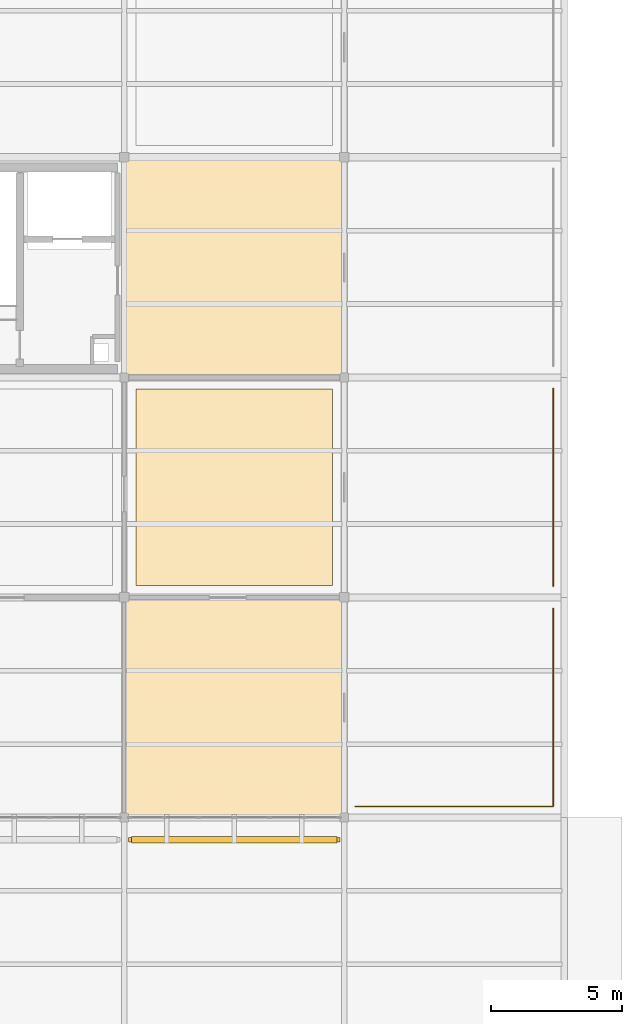
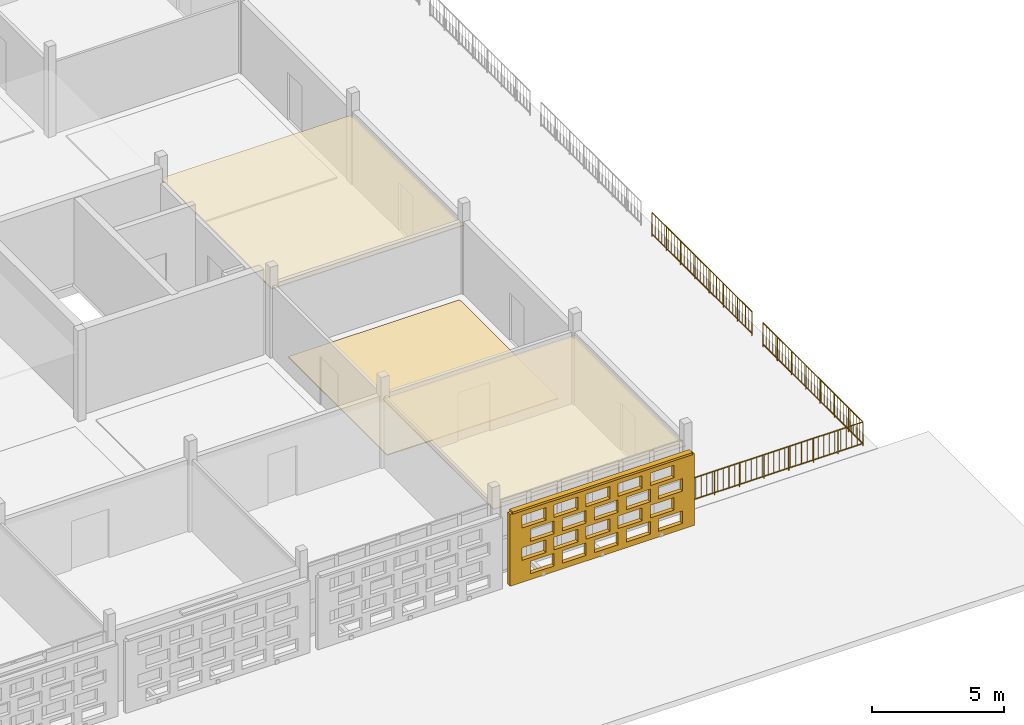
# One storey, part 153 of 166: 4 coverings, 3 railings, 1 shading device, 20 openings.
"""IFC4 building model written with IfcOpenShell, lengths in metres."""

from ifc_helpers import new_model, si_unit, direction, frame, frame_2d, origin, origin_2d, place, context, subcontext, project, spatial, rectangle, circle, extrude, material, layer, layer_set, type_object, element, save


model = new_model("IFC4")

# Units and contexts
model_context = context("Model", 3, precision=1e-05, world=origin(), true_north=direction((0.0, 1.0)))
body_context = subcontext(model_context, "Body", "Model", "MODEL_VIEW")
ifc_project = project(units=[si_unit("LENGTHUNIT", "METRE"), si_unit("AREAUNIT", "SQUARE_METRE"), si_unit("VOLUMEUNIT", "CUBIC_METRE"), si_unit("PLANEANGLEUNIT", "RADIAN"), si_unit("MASSUNIT", "GRAM", prefix="KILO")], contexts=[model_context])

# Site, building, storey
site_placement = place(None, origin())
site = spatial("IfcSite", under=ifc_project, at=site_placement, CompositionType="ELEMENT")
building_placement = place(site_placement, origin())
building = spatial("IfcBuilding", under=site, at=building_placement, Name="Varnapada Polytechnic", CompositionType="ELEMENT")
storey_placement = place(building_placement, frame((0.0, 0.0, 9.60009765625)))
storey = spatial("IfcBuildingStorey", under=building, at=storey_placement, Name="L02", CompositionType="ELEMENT", Elevation=9.60009765625)

# Coverings
ifc_material_1 = material(Name="Acoustic Rubber Seminar Flooring")
ifc_layer_1 = layer(ifc_material_1, 0.0400390625)
ifc_layer_set_1 = layer_set([ifc_layer_1], Name="Acoustic Rubber Seminar Flooring")
covering_type_1 = type_object("IfcCoveringType", Name="Floor Finish FLR-06", PredefinedType="FLOORING", material=ifc_layer_set_1)
covering_1_placement = place(storey_placement, frame((163.800048828125, 21.0, 0.0), z_axis=(0.0, 0.0, 1.0), x_axis=(1.0, 0.0, 0.0)))
element("IfcCovering", 1, at=covering_1_placement, inside=storey, type_object=covering_type_1, Name="L02 floor finish panel (20,3)", PredefinedType="FLOORING", context=body_context, shape_type="SweptSolid", body=[
    extrude(rectangle(XDim=7.5, YDim=7.5, at=origin_2d()), origin(), (0.0, 0.0, 1.0), 0.0400390625),
])
ifc_material_2 = material(Name="Mineral Fibre Acoustic Ceiling Tile")
ifc_layer_2 = layer(ifc_material_2, 0.0400390625)
ifc_layer_set_2 = layer_set([ifc_layer_2], Name="Mineral Fibre Acoustic Ceiling Tile")
covering_type_2 = type_object("IfcCoveringType", Name="Suspended Ceiling CLG-01", PredefinedType="CEILING", material=ifc_layer_set_2)
covering_2_placement = place(storey_placement, frame((163.800048828125, 29.39990234375, 3.02978515625), z_axis=(0.0, 0.0, 1.0), x_axis=(1.0, 0.0, 0.0)))
element("IfcCovering", 2, at=covering_2_placement, inside=storey, type_object=covering_type_2, Name="L02 suspended acoustic ceiling (20,4)", PredefinedType="CEILING", context=body_context, shape_type="SweptSolid", body=[
    extrude(rectangle(XDim=8.419921875, YDim=8.419921875, at=origin_2d()), origin(), (0.0, 0.0, 1.0), 0.0400390625),
])
ifc_material_3 = material(Name="Cleanroom Laboratory Metal Pan Ceiling")
ifc_layer_3 = layer(ifc_material_3, 0.034912109375)
ifc_layer_set_3 = layer_set([ifc_layer_3], Name="Cleanroom Laboratory Metal Pan Ceiling")
covering_type_3 = type_object("IfcCoveringType", Name="Suspended Ceiling CLG-06", PredefinedType="CEILING", material=ifc_layer_set_3)
covering_3_placement = place(storey_placement, frame((163.800048828125, 12.60009765625, 3.0322265625), z_axis=(0.0, 0.0, 1.0), x_axis=(1.0, 0.0, 0.0)))
element("IfcCovering", 3, at=covering_3_placement, inside=storey, type_object=covering_type_3, Name="L02 suspended acoustic ceiling (20,2)", PredefinedType="CEILING", context=body_context, shape_type="SweptSolid", body=[
    extrude(rectangle(XDim=8.419921875, YDim=8.419921875, at=origin_2d()), origin(), (0.0, 0.0, 1.0), 0.034912109375),
])

# Railings
ifc_material_4 = material(Name="Painted galvanized steel", Category="steel")
railing_type = type_object("IfcRailingType", Name="Terrace Guard Rail GRD-01", PredefinedType="BALUSTRADE", material=ifc_material_4)
railing_1_placement = place(storey_placement, frame((168.419921875, 8.820068359375, 0.0)))
element("IfcRailing", 4, at=railing_1_placement, inside=storey, type_object=railing_type, Name="L02 terrace perimeter guard rail 19", PredefinedType="BALUSTRADE", context=body_context, shape_type="SweptSolid", body=[
    extrude(circle(Radius=0.02392578125, at=origin_2d()), frame((0.0, 0.0, 1.09619140625), z_axis=(1.0, 0.0, 0.0), x_axis=(0.0, 1.0, 0.0)), (0.0, 0.0, 1.0), 7.56005859375),
    extrude(circle(Radius=0.02392578125, at=origin_2d()), frame((0.0, 0.0, 0.10009765625), z_axis=(1.0, 0.0, 0.0), x_axis=(0.0, 1.0, 0.0)), (0.0, 0.0, 1.0), 7.56005859375),
    extrude(circle(Radius=0.02099609375, at=origin_2d()), origin(), (0.0, 0.0, 1.0), 1.072021484375),
    extrude(circle(Radius=0.02099609375, at=origin_2d()), frame((1.080078125, 0.0, 0.0)), (0.0, 0.0, 1.0), 1.072021484375),
    extrude(circle(Radius=0.02099609375, at=origin_2d()), frame((2.159912109375, 0.0, 0.0)), (0.0, 0.0, 1.0), 1.072021484375),
    extrude(circle(Radius=0.02099609375, at=origin_2d()), frame((3.239990234375, 0.0, 0.0)), (0.0, 0.0, 1.0), 1.072021484375),
    extrude(circle(Radius=0.02099609375, at=origin_2d()), frame((4.320068359375, 0.0, 0.0)), (0.0, 0.0, 1.0), 1.072021484375),
    extrude(circle(Radius=0.02099609375, at=origin_2d()), frame((5.400146484375, 0.0, 0.0)), (0.0, 0.0, 1.0), 1.072021484375),
    extrude(circle(Radius=0.02099609375, at=origin_2d()), frame((6.47998046875, 0.0, 0.0)), (0.0, 0.0, 1.0), 1.072021484375),
    extrude(circle(Radius=0.02099609375, at=origin_2d()), frame((7.56005859375, 0.0, 0.0)), (0.0, 0.0, 1.0), 1.072021484375),
    extrude(circle(Radius=0.010009765625, at=origin_2d()), frame((0.243896484375, 0.0, 0.10009765625)), (0.0, 0.0, 1.0), 0.971923828125),
    extrude(circle(Radius=0.010009765625, at=origin_2d()), frame((0.48779296875, 0.0, 0.10009765625)), (0.0, 0.0, 1.0), 0.971923828125),
    extrude(circle(Radius=0.010009765625, at=origin_2d()), frame((0.731689453125, 0.0, 0.10009765625)), (0.0, 0.0, 1.0), 0.971923828125),
    extrude(circle(Radius=0.010009765625, at=origin_2d()), frame((0.9755859375, 0.0, 0.10009765625)), (0.0, 0.0, 1.0), 0.971923828125),
    extrude(circle(Radius=0.010009765625, at=origin_2d()), frame((1.219482421875, 0.0, 0.10009765625)), (0.0, 0.0, 1.0), 0.971923828125),
    extrude(circle(Radius=0.010009765625, at=origin_2d()), frame((1.463134765625, 0.0, 0.10009765625)), (0.0, 0.0, 1.0), 0.971923828125),
    extrude(circle(Radius=0.010009765625, at=origin_2d()), frame((1.70703125, 0.0, 0.10009765625)), (0.0, 0.0, 1.0), 0.971923828125),
    extrude(circle(Radius=0.010009765625, at=origin_2d()), frame((1.950927734375, 0.0, 0.10009765625)), (0.0, 0.0, 1.0), 0.971923828125),
    extrude(circle(Radius=0.010009765625, at=origin_2d()), frame((2.19482421875, 0.0, 0.10009765625)), (0.0, 0.0, 1.0), 0.971923828125),
    extrude(circle(Radius=0.010009765625, at=origin_2d()), frame((2.438720703125, 0.0, 0.10009765625)), (0.0, 0.0, 1.0), 0.971923828125),
    extrude(circle(Radius=0.010009765625, at=origin_2d()), frame((2.6826171875, 0.0, 0.10009765625)), (0.0, 0.0, 1.0), 0.971923828125),
    extrude(circle(Radius=0.010009765625, at=origin_2d()), frame((2.926513671875, 0.0, 0.10009765625)), (0.0, 0.0, 1.0), 0.971923828125),
    extrude(circle(Radius=0.010009765625, at=origin_2d()), frame((3.17041015625, 0.0, 0.10009765625)), (0.0, 0.0, 1.0), 0.971923828125),
    extrude(circle(Radius=0.010009765625, at=origin_2d()), frame((3.414306640625, 0.0, 0.10009765625)), (0.0, 0.0, 1.0), 0.971923828125),
    extrude(circle(Radius=0.010009765625, at=origin_2d()), frame((3.658203125, 0.0, 0.10009765625)), (0.0, 0.0, 1.0), 0.971923828125),
    extrude(circle(Radius=0.010009765625, at=origin_2d()), frame((3.90185546875, 0.0, 0.10009765625)), (0.0, 0.0, 1.0), 0.971923828125),
    extrude(circle(Radius=0.010009765625, at=origin_2d()), frame((4.145751953125, 0.0, 0.10009765625)), (0.0, 0.0, 1.0), 0.971923828125),
    extrude(circle(Radius=0.010009765625, at=origin_2d()), frame((4.3896484375, 0.0, 0.10009765625)), (0.0, 0.0, 1.0), 0.971923828125),
    extrude(circle(Radius=0.010009765625, at=origin_2d()), frame((4.633544921875, 0.0, 0.10009765625)), (0.0, 0.0, 1.0), 0.971923828125),
    extrude(circle(Radius=0.010009765625, at=origin_2d()), frame((4.87744140625, 0.0, 0.10009765625)), (0.0, 0.0, 1.0), 0.971923828125),
    extrude(circle(Radius=0.010009765625, at=origin_2d()), frame((5.121337890625, 0.0, 0.10009765625)), (0.0, 0.0, 1.0), 0.971923828125),
    extrude(circle(Radius=0.010009765625, at=origin_2d()), frame((5.365234375, 0.0, 0.10009765625)), (0.0, 0.0, 1.0), 0.971923828125),
    extrude(circle(Radius=0.010009765625, at=origin_2d()), frame((5.609130859375, 0.0, 0.10009765625)), (0.0, 0.0, 1.0), 0.971923828125),
    extrude(circle(Radius=0.010009765625, at=origin_2d()), frame((5.85302734375, 0.0, 0.10009765625)), (0.0, 0.0, 1.0), 0.971923828125),
    extrude(circle(Radius=0.010009765625, at=origin_2d()), frame((6.096923828125, 0.0, 0.10009765625)), (0.0, 0.0, 1.0), 0.971923828125),
    extrude(circle(Radius=0.010009765625, at=origin_2d()), frame((6.340576171875, 0.0, 0.10009765625)), (0.0, 0.0, 1.0), 0.971923828125),
    extrude(circle(Radius=0.010009765625, at=origin_2d()), frame((6.58447265625, 0.0, 0.10009765625)), (0.0, 0.0, 1.0), 0.971923828125),
    extrude(circle(Radius=0.010009765625, at=origin_2d()), frame((6.828369140625, 0.0, 0.10009765625)), (0.0, 0.0, 1.0), 0.971923828125),
    extrude(circle(Radius=0.010009765625, at=origin_2d()), frame((7.072265625, 0.0, 0.10009765625)), (0.0, 0.0, 1.0), 0.971923828125),
    extrude(circle(Radius=0.010009765625, at=origin_2d()), frame((7.316162109375, 0.0, 0.10009765625)), (0.0, 0.0, 1.0), 0.971923828125),
])
railing_2_placement = place(storey_placement, frame((175.97998046875, 8.820068359375, 0.0)))
element("IfcRailing", 5, at=railing_2_placement, inside=storey, type_object=railing_type, Name="L02 terrace perimeter guard rail 20", PredefinedType="BALUSTRADE", context=body_context, shape_type="SweptSolid", body=[
    extrude(circle(Radius=0.02392578125, at=origin_2d()), frame((0.0, 0.0, 1.09619140625), z_axis=(0.0, 1.0, 0.0), x_axis=(-1.0, 0.0, 0.0)), (0.0, 0.0, 1.0), 7.559814453125),
    extrude(circle(Radius=0.02392578125, at=origin_2d()), frame((0.0, 0.0, 0.10009765625), z_axis=(0.0, 1.0, 0.0), x_axis=(-1.0, 0.0, 0.0)), (0.0, 0.0, 1.0), 7.559814453125),
    extrude(circle(Radius=0.02099609375, at=origin_2d()), origin(), (0.0, 0.0, 1.0), 1.072021484375),
    extrude(circle(Radius=0.02099609375, at=origin_2d()), frame((0.0, 1.080078125, 0.0)), (0.0, 0.0, 1.0), 1.072021484375),
    extrude(circle(Radius=0.02099609375, at=origin_2d()), frame((0.0, 2.159912109375, 0.0)), (0.0, 0.0, 1.0), 1.072021484375),
    extrude(circle(Radius=0.02099609375, at=origin_2d()), frame((0.0, 3.239990234375, 0.0)), (0.0, 0.0, 1.0), 1.072021484375),
    extrude(circle(Radius=0.02099609375, at=origin_2d()), frame((0.0, 4.31982421875, 0.0)), (0.0, 0.0, 1.0), 1.072021484375),
    extrude(circle(Radius=0.02099609375, at=origin_2d()), frame((0.0, 5.39990234375, 0.0)), (0.0, 0.0, 1.0), 1.072021484375),
    extrude(circle(Radius=0.02099609375, at=origin_2d()), frame((0.0, 6.479736328125, 0.0)), (0.0, 0.0, 1.0), 1.072021484375),
    extrude(circle(Radius=0.02099609375, at=origin_2d()), frame((0.0, 7.559814453125, 0.0)), (0.0, 0.0, 1.0), 1.072021484375),
    extrude(circle(Radius=0.010009765625, at=origin_2d()), frame((0.0, 0.243896484375, 0.10009765625)), (0.0, 0.0, 1.0), 0.971923828125),
    extrude(circle(Radius=0.010009765625, at=origin_2d()), frame((0.0, 0.48779296875, 0.10009765625)), (0.0, 0.0, 1.0), 0.971923828125),
    extrude(circle(Radius=0.010009765625, at=origin_2d()), frame((0.0, 0.731689453125, 0.10009765625)), (0.0, 0.0, 1.0), 0.971923828125),
    extrude(circle(Radius=0.010009765625, at=origin_2d()), frame((0.0, 0.975341796875, 0.10009765625)), (0.0, 0.0, 1.0), 0.971923828125),
    extrude(circle(Radius=0.010009765625, at=origin_2d()), frame((0.0, 1.21923828125, 0.10009765625)), (0.0, 0.0, 1.0), 0.971923828125),
    extrude(circle(Radius=0.010009765625, at=origin_2d()), frame((0.0, 1.463134765625, 0.10009765625)), (0.0, 0.0, 1.0), 0.971923828125),
    extrude(circle(Radius=0.010009765625, at=origin_2d()), frame((0.0, 1.70703125, 0.10009765625)), (0.0, 0.0, 1.0), 0.971923828125),
    extrude(circle(Radius=0.010009765625, at=origin_2d()), frame((0.0, 1.950927734375, 0.10009765625)), (0.0, 0.0, 1.0), 0.971923828125),
    extrude(circle(Radius=0.010009765625, at=origin_2d()), frame((0.0, 2.19482421875, 0.10009765625)), (0.0, 0.0, 1.0), 0.971923828125),
    extrude(circle(Radius=0.010009765625, at=origin_2d()), frame((0.0, 2.438720703125, 0.10009765625)), (0.0, 0.0, 1.0), 0.971923828125),
    extrude(circle(Radius=0.010009765625, at=origin_2d()), frame((0.0, 2.6826171875, 0.10009765625)), (0.0, 0.0, 1.0), 0.971923828125),
    extrude(circle(Radius=0.010009765625, at=origin_2d()), frame((0.0, 2.92626953125, 0.10009765625)), (0.0, 0.0, 1.0), 0.971923828125),
    extrude(circle(Radius=0.010009765625, at=origin_2d()), frame((0.0, 3.170166015625, 0.10009765625)), (0.0, 0.0, 1.0), 0.971923828125),
    extrude(circle(Radius=0.010009765625, at=origin_2d()), frame((0.0, 3.4140625, 0.10009765625)), (0.0, 0.0, 1.0), 0.971923828125),
    extrude(circle(Radius=0.010009765625, at=origin_2d()), frame((0.0, 3.657958984375, 0.10009765625)), (0.0, 0.0, 1.0), 0.971923828125),
    extrude(circle(Radius=0.010009765625, at=origin_2d()), frame((0.0, 3.90185546875, 0.10009765625)), (0.0, 0.0, 1.0), 0.971923828125),
    extrude(circle(Radius=0.010009765625, at=origin_2d()), frame((0.0, 4.145751953125, 0.10009765625)), (0.0, 0.0, 1.0), 0.971923828125),
    extrude(circle(Radius=0.010009765625, at=origin_2d()), frame((0.0, 4.3896484375, 0.10009765625)), (0.0, 0.0, 1.0), 0.971923828125),
    extrude(circle(Radius=0.010009765625, at=origin_2d()), frame((0.0, 4.633544921875, 0.10009765625)), (0.0, 0.0, 1.0), 0.971923828125),
    extrude(circle(Radius=0.010009765625, at=origin_2d()), frame((0.0, 4.877197265625, 0.10009765625)), (0.0, 0.0, 1.0), 0.971923828125),
    extrude(circle(Radius=0.010009765625, at=origin_2d()), frame((0.0, 5.12109375, 0.10009765625)), (0.0, 0.0, 1.0), 0.971923828125),
    extrude(circle(Radius=0.010009765625, at=origin_2d()), frame((0.0, 5.364990234375, 0.10009765625)), (0.0, 0.0, 1.0), 0.971923828125),
    extrude(circle(Radius=0.010009765625, at=origin_2d()), frame((0.0, 5.60888671875, 0.10009765625)), (0.0, 0.0, 1.0), 0.971923828125),
    extrude(circle(Radius=0.010009765625, at=origin_2d()), frame((0.0, 5.852783203125, 0.10009765625)), (0.0, 0.0, 1.0), 0.971923828125),
    extrude(circle(Radius=0.010009765625, at=origin_2d()), frame((0.0, 6.0966796875, 0.10009765625)), (0.0, 0.0, 1.0), 0.971923828125),
    extrude(circle(Radius=0.010009765625, at=origin_2d()), frame((0.0, 6.340576171875, 0.10009765625)), (0.0, 0.0, 1.0), 0.971923828125),
    extrude(circle(Radius=0.010009765625, at=origin_2d()), frame((0.0, 6.58447265625, 0.10009765625)), (0.0, 0.0, 1.0), 0.971923828125),
    extrude(circle(Radius=0.010009765625, at=origin_2d()), frame((0.0, 6.828125, 0.10009765625)), (0.0, 0.0, 1.0), 0.971923828125),
    extrude(circle(Radius=0.010009765625, at=origin_2d()), frame((0.0, 7.072021484375, 0.10009765625)), (0.0, 0.0, 1.0), 0.971923828125),
    extrude(circle(Radius=0.010009765625, at=origin_2d()), frame((0.0, 7.31591796875, 0.10009765625)), (0.0, 0.0, 1.0), 0.971923828125),
])
railing_3_placement = place(storey_placement, frame((175.97998046875, 17.219970703125, 0.0)))
element("IfcRailing", 6, at=railing_3_placement, inside=storey, type_object=railing_type, Name="L02 terrace perimeter guard rail 21", PredefinedType="BALUSTRADE", context=body_context, shape_type="SweptSolid", body=[
    extrude(circle(Radius=0.02392578125, at=origin_2d()), frame((0.0, 0.0, 1.09619140625), z_axis=(0.0, 1.0, 0.0), x_axis=(-1.0, 0.0, 0.0)), (0.0, 0.0, 1.0), 7.56005859375),
    extrude(circle(Radius=0.02392578125, at=origin_2d()), frame((0.0, 0.0, 0.10009765625), z_axis=(0.0, 1.0, 0.0), x_axis=(-1.0, 0.0, 0.0)), (0.0, 0.0, 1.0), 7.56005859375),
    extrude(circle(Radius=0.02099609375, at=origin_2d()), origin(), (0.0, 0.0, 1.0), 1.072021484375),
    extrude(circle(Radius=0.02099609375, at=origin_2d()), frame((0.0, 1.080078125, 0.0)), (0.0, 0.0, 1.0), 1.072021484375),
    extrude(circle(Radius=0.02099609375, at=origin_2d()), frame((0.0, 2.159912109375, 0.0)), (0.0, 0.0, 1.0), 1.072021484375),
    extrude(circle(Radius=0.02099609375, at=origin_2d()), frame((0.0, 3.239990234375, 0.0)), (0.0, 0.0, 1.0), 1.072021484375),
    extrude(circle(Radius=0.02099609375, at=origin_2d()), frame((0.0, 4.320068359375, 0.0)), (0.0, 0.0, 1.0), 1.072021484375),
    extrude(circle(Radius=0.02099609375, at=origin_2d()), frame((0.0, 5.400146484375, 0.0)), (0.0, 0.0, 1.0), 1.072021484375),
    extrude(circle(Radius=0.02099609375, at=origin_2d()), frame((0.0, 6.47998046875, 0.0)), (0.0, 0.0, 1.0), 1.072021484375),
    extrude(circle(Radius=0.02099609375, at=origin_2d()), frame((0.0, 7.56005859375, 0.0)), (0.0, 0.0, 1.0), 1.072021484375),
    extrude(circle(Radius=0.010009765625, at=origin_2d()), frame((0.0, 0.243896484375, 0.10009765625)), (0.0, 0.0, 1.0), 0.971923828125),
    extrude(circle(Radius=0.010009765625, at=origin_2d()), frame((0.0, 0.48779296875, 0.10009765625)), (0.0, 0.0, 1.0), 0.971923828125),
    extrude(circle(Radius=0.010009765625, at=origin_2d()), frame((0.0, 0.731689453125, 0.10009765625)), (0.0, 0.0, 1.0), 0.971923828125),
    extrude(circle(Radius=0.010009765625, at=origin_2d()), frame((0.0, 0.9755859375, 0.10009765625)), (0.0, 0.0, 1.0), 0.971923828125),
    extrude(circle(Radius=0.010009765625, at=origin_2d()), frame((0.0, 1.219482421875, 0.10009765625)), (0.0, 0.0, 1.0), 0.971923828125),
    extrude(circle(Radius=0.010009765625, at=origin_2d()), frame((0.0, 1.463134765625, 0.10009765625)), (0.0, 0.0, 1.0), 0.971923828125),
    extrude(circle(Radius=0.010009765625, at=origin_2d()), frame((0.0, 1.70703125, 0.10009765625)), (0.0, 0.0, 1.0), 0.971923828125),
    extrude(circle(Radius=0.010009765625, at=origin_2d()), frame((0.0, 1.950927734375, 0.10009765625)), (0.0, 0.0, 1.0), 0.971923828125),
    extrude(circle(Radius=0.010009765625, at=origin_2d()), frame((0.0, 2.19482421875, 0.10009765625)), (0.0, 0.0, 1.0), 0.971923828125),
    extrude(circle(Radius=0.010009765625, at=origin_2d()), frame((0.0, 2.438720703125, 0.10009765625)), (0.0, 0.0, 1.0), 0.971923828125),
    extrude(circle(Radius=0.010009765625, at=origin_2d()), frame((0.0, 2.6826171875, 0.10009765625)), (0.0, 0.0, 1.0), 0.971923828125),
    extrude(circle(Radius=0.010009765625, at=origin_2d()), frame((0.0, 2.926513671875, 0.10009765625)), (0.0, 0.0, 1.0), 0.971923828125),
    extrude(circle(Radius=0.010009765625, at=origin_2d()), frame((0.0, 3.17041015625, 0.10009765625)), (0.0, 0.0, 1.0), 0.971923828125),
    extrude(circle(Radius=0.010009765625, at=origin_2d()), frame((0.0, 3.414306640625, 0.10009765625)), (0.0, 0.0, 1.0), 0.971923828125),
    extrude(circle(Radius=0.010009765625, at=origin_2d()), frame((0.0, 3.658203125, 0.10009765625)), (0.0, 0.0, 1.0), 0.971923828125),
    extrude(circle(Radius=0.010009765625, at=origin_2d()), frame((0.0, 3.90185546875, 0.10009765625)), (0.0, 0.0, 1.0), 0.971923828125),
    extrude(circle(Radius=0.010009765625, at=origin_2d()), frame((0.0, 4.145751953125, 0.10009765625)), (0.0, 0.0, 1.0), 0.971923828125),
    extrude(circle(Radius=0.010009765625, at=origin_2d()), frame((0.0, 4.3896484375, 0.10009765625)), (0.0, 0.0, 1.0), 0.971923828125),
    extrude(circle(Radius=0.010009765625, at=origin_2d()), frame((0.0, 4.633544921875, 0.10009765625)), (0.0, 0.0, 1.0), 0.971923828125),
    extrude(circle(Radius=0.010009765625, at=origin_2d()), frame((0.0, 4.87744140625, 0.10009765625)), (0.0, 0.0, 1.0), 0.971923828125),
    extrude(circle(Radius=0.010009765625, at=origin_2d()), frame((0.0, 5.121337890625, 0.10009765625)), (0.0, 0.0, 1.0), 0.971923828125),
    extrude(circle(Radius=0.010009765625, at=origin_2d()), frame((0.0, 5.365234375, 0.10009765625)), (0.0, 0.0, 1.0), 0.971923828125),
    extrude(circle(Radius=0.010009765625, at=origin_2d()), frame((0.0, 5.609130859375, 0.10009765625)), (0.0, 0.0, 1.0), 0.971923828125),
    extrude(circle(Radius=0.010009765625, at=origin_2d()), frame((0.0, 5.85302734375, 0.10009765625)), (0.0, 0.0, 1.0), 0.971923828125),
    extrude(circle(Radius=0.010009765625, at=origin_2d()), frame((0.0, 6.096923828125, 0.10009765625)), (0.0, 0.0, 1.0), 0.971923828125),
    extrude(circle(Radius=0.010009765625, at=origin_2d()), frame((0.0, 6.340576171875, 0.10009765625)), (0.0, 0.0, 1.0), 0.971923828125),
    extrude(circle(Radius=0.010009765625, at=origin_2d()), frame((0.0, 6.58447265625, 0.10009765625)), (0.0, 0.0, 1.0), 0.971923828125),
    extrude(circle(Radius=0.010009765625, at=origin_2d()), frame((0.0, 6.828369140625, 0.10009765625)), (0.0, 0.0, 1.0), 0.971923828125),
    extrude(circle(Radius=0.010009765625, at=origin_2d()), frame((0.0, 7.072265625, 0.10009765625)), (0.0, 0.0, 1.0), 0.971923828125),
    extrude(circle(Radius=0.010009765625, at=origin_2d()), frame((0.0, 7.316162109375, 0.10009765625)), (0.0, 0.0, 1.0), 0.971923828125),
])

# Covering, openings
ifc_material_5 = material(Name="Earth-toned architectural terracotta screen block", Category="masonry")
ifc_layer_4 = layer(ifc_material_5, 0.1201171875)
ifc_layer_set_4 = layer_set([ifc_layer_4], Name="Earth-toned architectural terracotta screen block")
covering_type_4 = type_object("IfcCoveringType", Name="Terracotta Screen Cladding CLD-01", PredefinedType="CLADDING", material=ifc_layer_set_4)
covering_4_placement = place(storey_placement, frame((167.830078125, 7.550048828125, 0.0), z_axis=(0.0, 0.0, 1.0), x_axis=(-1.0, 0.0, 0.0)))
covering_4 = element("IfcCovering", 7, at=covering_4_placement, inside=storey, type_object=covering_type_4, Name="L02 perforated terracotta block screen (99)", PredefinedType="CLADDING", context=body_context, shape_type="SweptSolid", body=[
    extrude(rectangle(XDim=8.06005859375, YDim=0.179931640625, at=frame_2d((4.030029296875, 0.0))), origin(), (0.0, 0.0, 1.0), 3.31982421875),
])
opening_1_placement = place(covering_4_placement, frame((0.530029296875, 0.0, 0.265625)))
element("IfcOpeningElement", 8, at=opening_1_placement, cuts=covering_4, Name="Screen perforation TBS-L02-098.1", PredefinedType="OPENING", context=body_context, shape_type="SweptSolid", body=[
    extrude(rectangle(XDim=1.0400390625, YDim=0.5810546875, at=frame_2d((0.52001953125, 0.29052734375))), frame((0.0, 0.099853515625, 0.0), z_axis=(0.0, -1.0, 0.0), x_axis=(1.0, 0.0, 0.0)), (0.0, 0.0, 1.0), 0.199951171875),
])
opening_2_placement = place(covering_4_placement, frame((1.929931640625, 0.0, 0.265625)))
element("IfcOpeningElement", 9, at=opening_2_placement, cuts=covering_4, Name="Screen perforation TBS-L02-098.2", PredefinedType="OPENING", context=body_context, shape_type="SweptSolid", body=[
    extrude(rectangle(XDim=1.0400390625, YDim=0.5810546875, at=frame_2d((0.52001953125, 0.29052734375))), frame((0.0, 0.099853515625, 0.0), z_axis=(0.0, -1.0, 0.0), x_axis=(1.0, 0.0, 0.0)), (0.0, 0.0, 1.0), 0.199951171875),
])
opening_3_placement = place(covering_4_placement, frame((3.330078125, 0.0, 0.265625)))
element("IfcOpeningElement", 10, at=opening_3_placement, cuts=covering_4, Name="Screen perforation TBS-L02-098.3", PredefinedType="OPENING", context=body_context, shape_type="SweptSolid", body=[
    extrude(rectangle(XDim=1.0400390625, YDim=0.5810546875, at=frame_2d((0.52001953125, 0.29052734375))), frame((0.0, 0.099853515625, 0.0), z_axis=(0.0, -1.0, 0.0), x_axis=(1.0, 0.0, 0.0)), (0.0, 0.0, 1.0), 0.199951171875),
])
opening_4_placement = place(covering_4_placement, frame((4.72998046875, 0.0, 0.265625)))
element("IfcOpeningElement", 11, at=opening_4_placement, cuts=covering_4, Name="Screen perforation TBS-L02-098.4", PredefinedType="OPENING", context=body_context, shape_type="SweptSolid", body=[
    extrude(rectangle(XDim=1.0400390625, YDim=0.5810546875, at=frame_2d((0.52001953125, 0.29052734375))), frame((0.0, 0.099853515625, 0.0), z_axis=(0.0, -1.0, 0.0), x_axis=(1.0, 0.0, 0.0)), (0.0, 0.0, 1.0), 0.199951171875),
])
opening_5_placement = place(covering_4_placement, frame((6.1298828125, 0.0, 0.265625)))
element("IfcOpeningElement", 12, at=opening_5_placement, cuts=covering_4, Name="Screen perforation TBS-L02-098.5", PredefinedType="OPENING", context=body_context, shape_type="SweptSolid", body=[
    extrude(rectangle(XDim=1.0400390625, YDim=0.5810546875, at=frame_2d((0.52001953125, 0.29052734375))), frame((0.0, 0.099853515625, 0.0), z_axis=(0.0, -1.0, 0.0), x_axis=(1.0, 0.0, 0.0)), (0.0, 0.0, 1.0), 0.199951171875),
])
opening_6_placement = place(covering_4_placement, frame((0.889892578125, 0.0, 1.0126953125)))
element("IfcOpeningElement", 13, at=opening_6_placement, cuts=covering_4, Name="Screen perforation TBS-L02-098.6", PredefinedType="OPENING", context=body_context, shape_type="SweptSolid", body=[
    extrude(rectangle(XDim=1.0400390625, YDim=0.5810546875, at=frame_2d((0.52001953125, 0.29052734375))), frame((0.0, 0.099853515625, 0.0), z_axis=(0.0, -1.0, 0.0), x_axis=(1.0, 0.0, 0.0)), (0.0, 0.0, 1.0), 0.199951171875),
])
opening_7_placement = place(covering_4_placement, frame((2.2900390625, 0.0, 1.0126953125)))
element("IfcOpeningElement", 14, at=opening_7_placement, cuts=covering_4, Name="Screen perforation TBS-L02-098.7", PredefinedType="OPENING", context=body_context, shape_type="SweptSolid", body=[
    extrude(rectangle(XDim=1.0400390625, YDim=0.5810546875, at=frame_2d((0.52001953125, 0.29052734375))), frame((0.0, 0.099853515625, 0.0), z_axis=(0.0, -1.0, 0.0), x_axis=(1.0, 0.0, 0.0)), (0.0, 0.0, 1.0), 0.199951171875),
])
opening_8_placement = place(covering_4_placement, frame((3.68994140625, 0.0, 1.0126953125)))
element("IfcOpeningElement", 15, at=opening_8_placement, cuts=covering_4, Name="Screen perforation TBS-L02-098.8", PredefinedType="OPENING", context=body_context, shape_type="SweptSolid", body=[
    extrude(rectangle(XDim=1.0400390625, YDim=0.5810546875, at=frame_2d((0.52001953125, 0.29052734375))), frame((0.0, 0.099853515625, 0.0), z_axis=(0.0, -1.0, 0.0), x_axis=(1.0, 0.0, 0.0)), (0.0, 0.0, 1.0), 0.199951171875),
])
opening_9_placement = place(covering_4_placement, frame((5.090087890625, 0.0, 1.0126953125)))
element("IfcOpeningElement", 16, at=opening_9_placement, cuts=covering_4, Name="Screen perforation TBS-L02-098.9", PredefinedType="OPENING", context=body_context, shape_type="SweptSolid", body=[
    extrude(rectangle(XDim=1.0400390625, YDim=0.5810546875, at=frame_2d((0.52001953125, 0.29052734375))), frame((0.0, 0.099853515625, 0.0), z_axis=(0.0, -1.0, 0.0), x_axis=(1.0, 0.0, 0.0)), (0.0, 0.0, 1.0), 0.199951171875),
])
opening_10_placement = place(covering_4_placement, frame((6.489990234375, 0.0, 1.0126953125)))
element("IfcOpeningElement", 17, at=opening_10_placement, cuts=covering_4, Name="Screen perforation TBS-L02-098.10", PredefinedType="OPENING", context=body_context, shape_type="SweptSolid", body=[
    extrude(rectangle(XDim=1.0400390625, YDim=0.5810546875, at=frame_2d((0.52001953125, 0.29052734375))), frame((0.0, 0.099853515625, 0.0), z_axis=(0.0, -1.0, 0.0), x_axis=(1.0, 0.0, 0.0)), (0.0, 0.0, 1.0), 0.199951171875),
])
opening_11_placement = place(covering_4_placement, frame((0.530029296875, 0.0, 1.759521484375)))
element("IfcOpeningElement", 18, at=opening_11_placement, cuts=covering_4, Name="Screen perforation TBS-L02-098.11", PredefinedType="OPENING", context=body_context, shape_type="SweptSolid", body=[
    extrude(rectangle(XDim=1.0400390625, YDim=0.5810546875, at=frame_2d((0.52001953125, 0.29052734375))), frame((0.0, 0.099853515625, 0.0), z_axis=(0.0, -1.0, 0.0), x_axis=(1.0, 0.0, 0.0)), (0.0, 0.0, 1.0), 0.199951171875),
])
opening_12_placement = place(covering_4_placement, frame((1.929931640625, 0.0, 1.759521484375)))
element("IfcOpeningElement", 19, at=opening_12_placement, cuts=covering_4, Name="Screen perforation TBS-L02-098.12", PredefinedType="OPENING", context=body_context, shape_type="SweptSolid", body=[
    extrude(rectangle(XDim=1.0400390625, YDim=0.5810546875, at=frame_2d((0.52001953125, 0.29052734375))), frame((0.0, 0.099853515625, 0.0), z_axis=(0.0, -1.0, 0.0), x_axis=(1.0, 0.0, 0.0)), (0.0, 0.0, 1.0), 0.199951171875),
])
opening_13_placement = place(covering_4_placement, frame((3.330078125, 0.0, 1.759521484375)))
element("IfcOpeningElement", 20, at=opening_13_placement, cuts=covering_4, Name="Screen perforation TBS-L02-098.13", PredefinedType="OPENING", context=body_context, shape_type="SweptSolid", body=[
    extrude(rectangle(XDim=1.0400390625, YDim=0.5810546875, at=frame_2d((0.52001953125, 0.29052734375))), frame((0.0, 0.099853515625, 0.0), z_axis=(0.0, -1.0, 0.0), x_axis=(1.0, 0.0, 0.0)), (0.0, 0.0, 1.0), 0.199951171875),
])
opening_14_placement = place(covering_4_placement, frame((4.72998046875, 0.0, 1.759521484375)))
element("IfcOpeningElement", 21, at=opening_14_placement, cuts=covering_4, Name="Screen perforation TBS-L02-098.14", PredefinedType="OPENING", context=body_context, shape_type="SweptSolid", body=[
    extrude(rectangle(XDim=1.0400390625, YDim=0.5810546875, at=frame_2d((0.52001953125, 0.29052734375))), frame((0.0, 0.099853515625, 0.0), z_axis=(0.0, -1.0, 0.0), x_axis=(1.0, 0.0, 0.0)), (0.0, 0.0, 1.0), 0.199951171875),
])
opening_15_placement = place(covering_4_placement, frame((6.1298828125, 0.0, 1.759521484375)))
element("IfcOpeningElement", 22, at=opening_15_placement, cuts=covering_4, Name="Screen perforation TBS-L02-098.15", PredefinedType="OPENING", context=body_context, shape_type="SweptSolid", body=[
    extrude(rectangle(XDim=1.0400390625, YDim=0.5810546875, at=frame_2d((0.52001953125, 0.29052734375))), frame((0.0, 0.099853515625, 0.0), z_axis=(0.0, -1.0, 0.0), x_axis=(1.0, 0.0, 0.0)), (0.0, 0.0, 1.0), 0.199951171875),
])
opening_16_placement = place(covering_4_placement, frame((0.889892578125, 0.0, 2.506591796875)))
element("IfcOpeningElement", 23, at=opening_16_placement, cuts=covering_4, Name="Screen perforation TBS-L02-098.16", PredefinedType="OPENING", context=body_context, shape_type="SweptSolid", body=[
    extrude(rectangle(XDim=1.0400390625, YDim=0.5810546875, at=frame_2d((0.52001953125, 0.29052734375))), frame((0.0, 0.099853515625, 0.0), z_axis=(0.0, -1.0, 0.0), x_axis=(1.0, 0.0, 0.0)), (0.0, 0.0, 1.0), 0.199951171875),
])
opening_17_placement = place(covering_4_placement, frame((2.2900390625, 0.0, 2.506591796875)))
element("IfcOpeningElement", 24, at=opening_17_placement, cuts=covering_4, Name="Screen perforation TBS-L02-098.17", PredefinedType="OPENING", context=body_context, shape_type="SweptSolid", body=[
    extrude(rectangle(XDim=1.0400390625, YDim=0.5810546875, at=frame_2d((0.52001953125, 0.29052734375))), frame((0.0, 0.099853515625, 0.0), z_axis=(0.0, -1.0, 0.0), x_axis=(1.0, 0.0, 0.0)), (0.0, 0.0, 1.0), 0.199951171875),
])
opening_18_placement = place(covering_4_placement, frame((3.68994140625, 0.0, 2.506591796875)))
element("IfcOpeningElement", 25, at=opening_18_placement, cuts=covering_4, Name="Screen perforation TBS-L02-098.18", PredefinedType="OPENING", context=body_context, shape_type="SweptSolid", body=[
    extrude(rectangle(XDim=1.0400390625, YDim=0.5810546875, at=frame_2d((0.52001953125, 0.29052734375))), frame((0.0, 0.099853515625, 0.0), z_axis=(0.0, -1.0, 0.0), x_axis=(1.0, 0.0, 0.0)), (0.0, 0.0, 1.0), 0.199951171875),
])
opening_19_placement = place(covering_4_placement, frame((5.090087890625, 0.0, 2.506591796875)))
element("IfcOpeningElement", 26, at=opening_19_placement, cuts=covering_4, Name="Screen perforation TBS-L02-098.19", PredefinedType="OPENING", context=body_context, shape_type="SweptSolid", body=[
    extrude(rectangle(XDim=1.0400390625, YDim=0.5810546875, at=frame_2d((0.52001953125, 0.29052734375))), frame((0.0, 0.099853515625, 0.0), z_axis=(0.0, -1.0, 0.0), x_axis=(1.0, 0.0, 0.0)), (0.0, 0.0, 1.0), 0.199951171875),
])
opening_20_placement = place(covering_4_placement, frame((6.489990234375, 0.0, 2.506591796875)))
element("IfcOpeningElement", 27, at=opening_20_placement, cuts=covering_4, Name="Screen perforation TBS-L02-098.20", PredefinedType="OPENING", context=body_context, shape_type="SweptSolid", body=[
    extrude(rectangle(XDim=1.0400390625, YDim=0.5810546875, at=frame_2d((0.52001953125, 0.29052734375))), frame((0.0, 0.099853515625, 0.0), z_axis=(0.0, -1.0, 0.0), x_axis=(1.0, 0.0, 0.0)), (0.0, 0.0, 1.0), 0.199951171875),
])

# Shading device
ifc_layer_5 = layer(ifc_material_5, 0.179931640625)
ifc_layer_set_5 = layer_set([ifc_layer_5], Name="Earth-toned architectural terracotta screen block")
shading_device_type = type_object("IfcShadingDeviceType", Name="Terracotta Screen SCR-01", PredefinedType="USERDEFINED", material=ifc_layer_set_5)
shading_device_placement = place(storey_placement, frame((163.800048828125, 7.550048828125, 3.309814453125), z_axis=(0.0, 0.0, 1.0), x_axis=(-1.0, 0.0, 0.0)))
element("IfcShadingDevice", 28, at=shading_device_placement, inside=storey, type_object=shading_device_type, Name="L02 perforated terracotta screen hood 323", ObjectType="SCREEN", PredefinedType="USERDEFINED", context=body_context, shape_type="SweptSolid", body=[
    extrude(rectangle(XDim=7.860107421875, YDim=0.239990234375, at=origin_2d()), origin(), (0.0, 0.0, 1.0), 0.10009765625),
])

save(model, "model.ifc")
